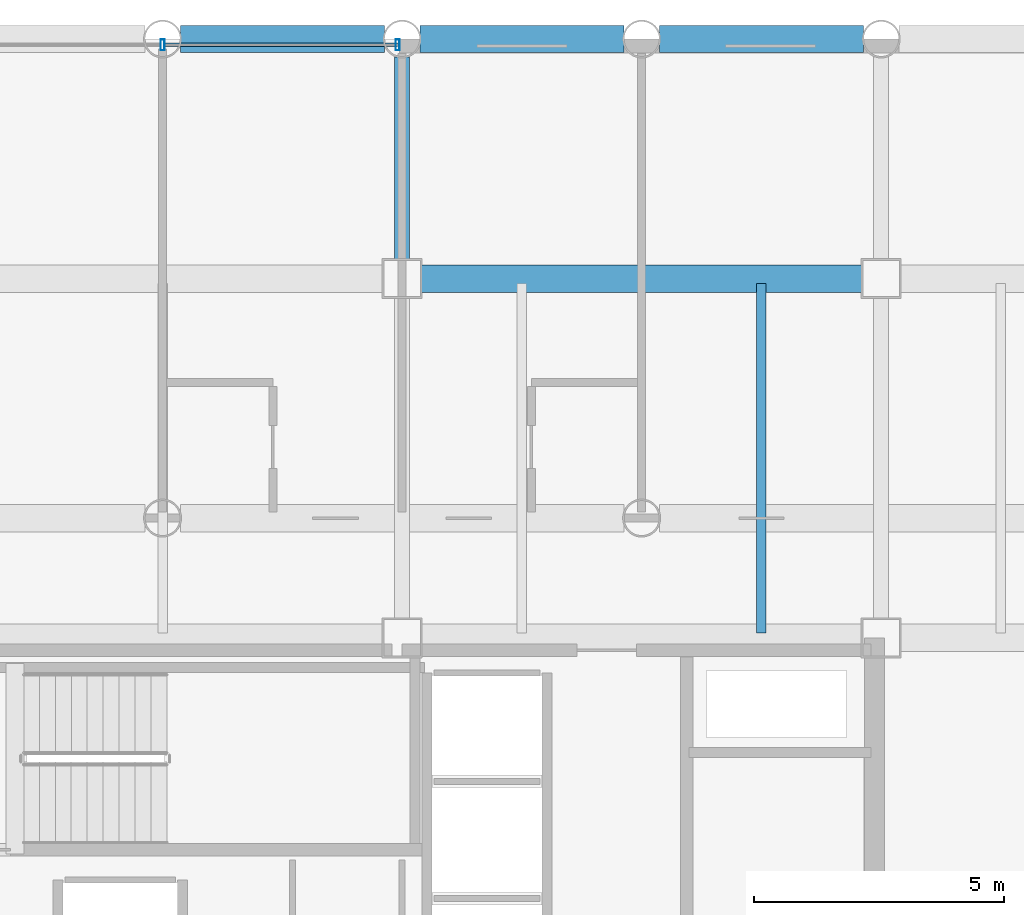
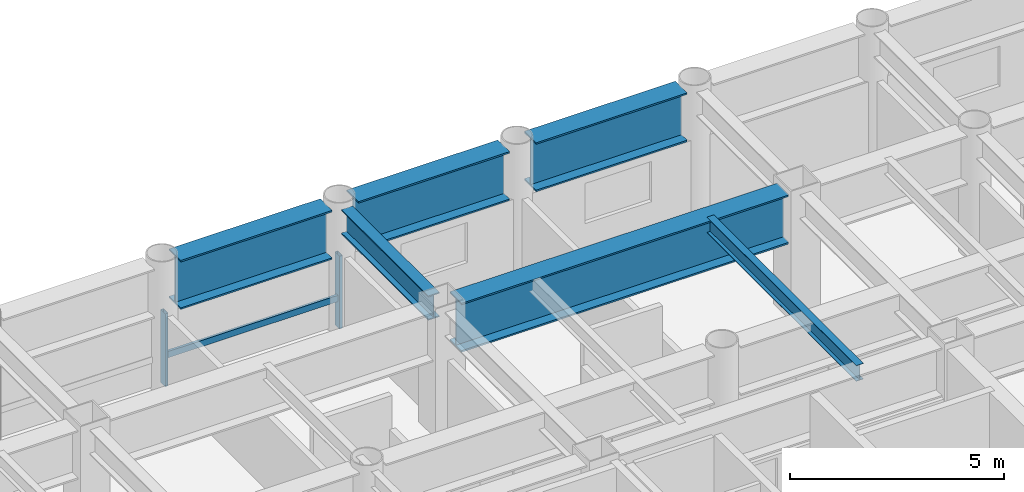
# One storey, part 11 of 22: 6 beams, 3 members, 1 element without a shape of its own.
"""IFC4 building model written with IfcOpenShell, lengths in metres."""

from ifc_helpers import new_model, si_unit, direction, frame, origin, origin_2d, place, context, subcontext, project, spatial, hollow_rectangle, i_section, extrude, material, layer, layer_set, material_profile, profile_set, type_object, element, aggregate, save


model = new_model("IFC4")

# Units and contexts
model_context = context("Model", 3, precision=1e-05, world=origin(), true_north=direction((0.0, 1.0)))
body_context = subcontext(model_context, "Body", "Model", "MODEL_VIEW")
ifc_project = project(units=[si_unit("LENGTHUNIT", "METRE"), si_unit("AREAUNIT", "SQUARE_METRE"), si_unit("VOLUMEUNIT", "CUBIC_METRE"), si_unit("PLANEANGLEUNIT", "RADIAN"), si_unit("MASSUNIT", "GRAM", prefix="KILO")], contexts=[model_context])

# Site, building, storey
site_placement = place(None, origin())
site = spatial("IfcSite", under=ifc_project, at=site_placement, CompositionType="ELEMENT")
building_placement = place(site_placement, origin())
building = spatial("IfcBuilding", under=site, at=building_placement, Name="Kallvorn Hotel Tower", CompositionType="ELEMENT")
storey_placement = place(building_placement, frame((0.0, 0.0, 59.60009765625)))
storey = spatial("IfcBuildingStorey", under=building, at=storey_placement, Name="L13", CompositionType="ELEMENT", Elevation=59.60009765625)

# Beams
ifc_material_1 = material(Name="Structural steel S355JR", Category="steel")
ifc_material_profile_1 = material_profile(ifc_material_1, i_section(OverallWidth=0.300048828125, OverallDepth=0.699951171875, WebThickness=0.01708984375, FlangeThickness=0.031982421875, at=origin_2d()), Name="HE 700 B")
ifc_profile_set_1 = profile_set([ifc_material_profile_1], Name="Structural steel S355JR")
beam_type_1 = type_object("IfcBeamType", Name="BM_HE700B", PredefinedType="BEAM", material=ifc_profile_set_1)
beam_1_placement = place(storey_placement, frame((4.800048828125, 14.77490234375, 3.169921875), z_axis=(0.0, 1.0, 0.0), x_axis=(-1.0, 0.0, 0.0)))
element("IfcBeam", 1, at=beam_1_placement, inside=storey, type_object=beam_type_1, Name="L14 Primary Y-Girder 117", PredefinedType="BEAM", context=body_context, shape_type="SweptSolid", body=[
    extrude(i_section(OverallWidth=0.300048828125, OverallDepth=0.699951171875, WebThickness=0.01708984375, FlangeThickness=0.031982421875, at=origin_2d()), origin(), (0.0, 0.0, 1.0), 4.069091796875),
])
ifc_material_2 = material(Name="Structural steel S355JR", Category="steel")
ifc_material_profile_2 = material_profile(ifc_material_2, i_section(OverallWidth=0.18994140625, OverallDepth=0.449951171875, WebThickness=0.009521484375, FlangeThickness=0.0146484375, at=origin_2d()), Name="IPE 450")
ifc_profile_set_2 = profile_set([ifc_material_profile_2], Name="Structural steel S355JR")
beam_type_2 = type_object("IfcBeamType", Name="BM_IPE450", PredefinedType="JOIST", material=ifc_profile_set_2)
beam_2_placement = place(storey_placement, frame((12.0, 7.300048828125, 3.294921875), z_axis=(0.0, 1.0, 0.0), x_axis=(-1.0, 0.0, 0.0)))
element("IfcBeam", 2, at=beam_2_placement, inside=storey, type_object=beam_type_2, Name="L14 Secondary Composite Joist 205", PredefinedType="JOIST", context=body_context, shape_type="SweptSolid", body=[
    extrude(i_section(OverallWidth=0.18994140625, OverallDepth=0.449951171875, WebThickness=0.009521484375, FlangeThickness=0.0146484375, at=origin_2d()), origin(), (0.0, 0.0, 1.0), 7.0),
])
ifc_material_3 = material(Name="Structural steel S355JR", Category="steel")
ifc_material_profile_3 = material_profile(ifc_material_3, i_section(OverallWidth=0.550048828125, OverallDepth=1.39990234375, WebThickness=0.02490234375, FlangeThickness=0.044921875, at=origin_2d()), Name="PG 1400x550x25x45")
ifc_profile_set_3 = profile_set([ifc_material_profile_3], Name="Structural steel S355JR")
beam_type_3 = type_object("IfcBeamType", Name="BM_PG_1400", PredefinedType="BEAM", material=ifc_profile_set_3)
beam_3_placement = place(storey_placement, frame((5.175048828125, 14.39990234375, 2.81982421875), z_axis=(1.0, 0.0, 0.0), x_axis=(0.0, 1.0, 0.0)))
element("IfcBeam", 3, at=beam_3_placement, inside=storey, type_object=beam_type_3, Name="L14 Primary X-Girder 56", PredefinedType="BEAM", context=body_context, shape_type="SweptSolid", body=[
    extrude(i_section(OverallWidth=0.550048828125, OverallDepth=1.39990234375, WebThickness=0.02490234375, FlangeThickness=0.044921875, at=origin_2d()), origin(), (0.0, 0.0, 1.0), 8.849853515625),
])
beam_4_placement = place(storey_placement, frame((0.35595703125, 19.199951171875, 2.81982421875), z_axis=(1.0, 0.0, 0.0), x_axis=(0.0, 1.0, 0.0)))
element("IfcBeam", 4, at=beam_4_placement, inside=storey, type_object=beam_type_3, Name="L14 Primary X-Girder 67", PredefinedType="BEAM", context=body_context, shape_type="SweptSolid", body=[
    extrude(i_section(OverallWidth=0.550048828125, OverallDepth=1.39990234375, WebThickness=0.02490234375, FlangeThickness=0.044921875, at=origin_2d()), origin(), (0.0, 0.0, 1.0), 4.088134765625),
])
for number, where, z_axis, x_axis, name in (
    (5, (5.156005859375, 19.199951171875, 2.81982421875), (1.0, 0.0, 0.0), (0.0, 1.0, 0.0), "L14 Primary X-Girder 68"),
    (6, (9.9560546875, 19.199951171875, 2.81982421875), (1.0, 0.0, 0.0), (0.0, 1.0, 0.0), "L14 Primary X-Girder 69"),
):
    element("IfcBeam", number, at=place(storey_placement, frame(where, z_axis=z_axis, x_axis=x_axis)), inside=storey, type_object=beam_type_3, Name=name, PredefinedType="BEAM", context=body_context, shape_type="SweptSolid", body=[
        extrude(i_section(OverallWidth=0.550048828125, OverallDepth=1.39990234375, WebThickness=0.02490234375, FlangeThickness=0.044921875, at=origin_2d()), origin(), (0.0, 0.0, 1.0), 4.087890625),
    ])

# Curtain wall, members
ifc_material_4 = material(Name="Thermally broken black-anodised aluminium AA 6063-T6", Category="aluminium")
ifc_layer = layer(ifc_material_4, 0.199951171875)
ifc_layer_set = layer_set([ifc_layer], Name="CW_SYS_3_HOTEL_LOW")
curtain_wall_type = type_object("IfcCurtainWallType", Name="CW_SYS_3_HOTEL_LOW", PredefinedType="USERDEFINED", material=ifc_layer_set)
curtain_wall_placement = place(storey_placement, origin())
curtain_wall = element("IfcCurtainWall", 7, at=curtain_wall_placement, inside=storey, type_object=curtain_wall_type, Name="L13 Dark-Glass Curtain Wall CW-L13-NC", ObjectType="UNITISED CURTAIN WALL", PredefinedType="USERDEFINED")
ifc_material_5 = material(Name="Thermally broken black-anodised aluminium AA 6063-T6", Category="aluminium")
ifc_material_profile_4 = material_profile(ifc_material_5, hollow_rectangle(XDim=0.080078125, YDim=0.219970703125, WallThickness=0.0048828125, at=origin_2d()), Name="MUL 220x80")
ifc_profile_set_4 = profile_set([ifc_material_profile_4], Name="Thermally broken black-anodised aluminium AA 6063-T6")
member_type_1 = type_object("IfcMemberType", Name="CW_MULLION_220x80", PredefinedType="MULLION", material=ifc_profile_set_4)
member_1_placement = place(storey_placement, frame((0.0, 19.080078125, 0.02001953125), z_axis=(0.0, 0.0, 1.0), x_axis=(1.0, 0.0, 0.0)))
member_1 = element("IfcMember", 8, at=member_1_placement, type_object=member_type_1, Name="CW-L13-NC Mullion 01", PredefinedType="MULLION", context=body_context, shape_type="SweptSolid", body=[
    extrude(hollow_rectangle(XDim=0.080078125, YDim=0.219970703125, WallThickness=0.0048828125, at=origin_2d()), origin(), (0.0, 0.0, 1.0), 2.079833984375),
])
member_2_placement = place(storey_placement, frame((4.7099609375, 19.080078125, 0.02001953125), z_axis=(0.0, 0.0, 1.0), x_axis=(1.0, 0.0, 0.0)))
member_2 = element("IfcMember", 9, at=member_2_placement, type_object=member_type_1, Name="CW-L13-NC Mullion 02", PredefinedType="MULLION", context=body_context, shape_type="SweptSolid", body=[
    extrude(hollow_rectangle(XDim=0.080078125, YDim=0.219970703125, WallThickness=0.0048828125, at=origin_2d()), origin(), (0.0, 0.0, 1.0), 2.079833984375),
])
ifc_material_6 = material(Name="Thermally broken black-anodised aluminium AA 6063-T6", Category="aluminium")
ifc_material_profile_5 = material_profile(ifc_material_6, hollow_rectangle(XDim=0.070068359375, YDim=0.179931640625, WallThickness=0.00390625, at=origin_2d()), Name="TRN 180x70")
ifc_profile_set_5 = profile_set([ifc_material_profile_5], Name="Thermally broken black-anodised aluminium AA 6063-T6")
member_type_2 = type_object("IfcMemberType", Name="CW_TRANSOM_180x70", PredefinedType="USERDEFINED", material=ifc_profile_set_5)
member_3_placement = place(storey_placement, frame((0.0400390625, 19.080078125, 0.849853515625), z_axis=(1.0, 0.0, 0.0), x_axis=(0.0, 1.0, 0.0)))
member_3 = element("IfcMember", 10, at=member_3_placement, type_object=member_type_2, Name="CW-L13-NC Transom 01M", ObjectType="TRANSOM", PredefinedType="USERDEFINED", context=body_context, shape_type="SweptSolid", body=[
    extrude(hollow_rectangle(XDim=0.070068359375, YDim=0.179931640625, WallThickness=0.00390625, at=origin_2d()), origin(), (0.0, 0.0, 1.0), 4.669921875),
])
aggregate(curtain_wall, [member_1, member_2, member_3])

save(model, "model.ifc")
